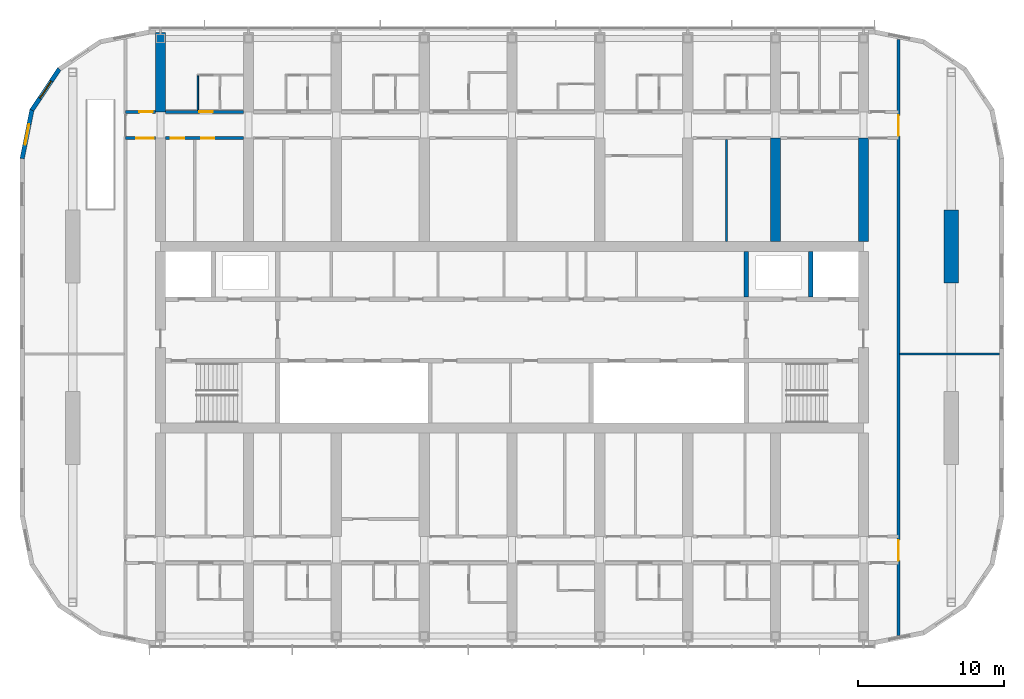
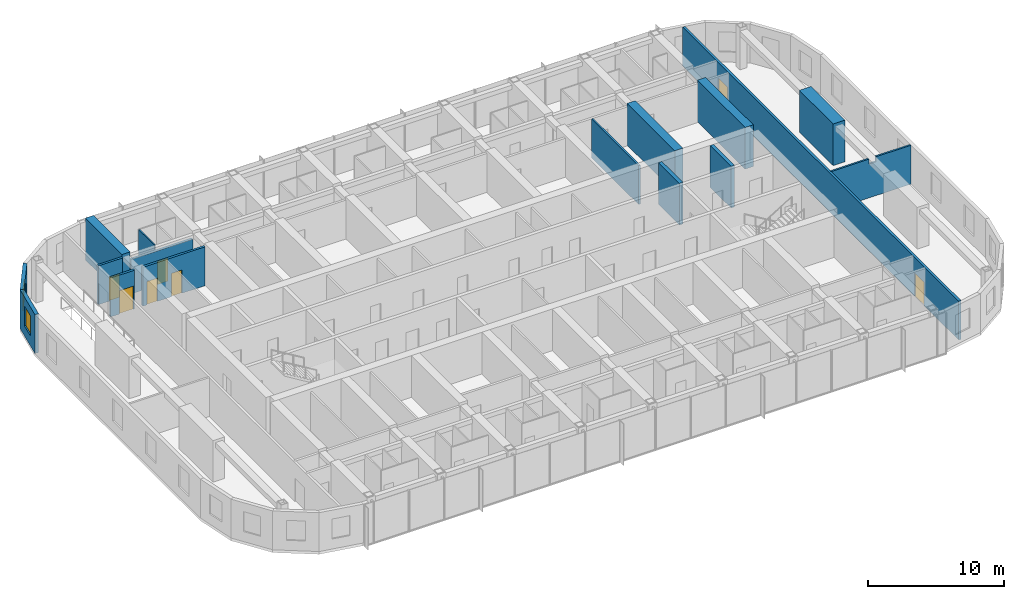
# One storey, part 15 of 23: 16 walls, 7 doors, 2 windows, 9 openings.
"""IFC4 building model written with IfcOpenShell, lengths in metres."""

from ifc_helpers import new_model, si_unit, direction, frame, frame_2d, origin, place, context, subcontext, project, spatial, polyline, rectangle, outline, extrude, material, layer, layer_set, type_object, element, fill, save


model = new_model("IFC4")

# Units and contexts
model_context = context("Model", 3, precision=1e-05, world=origin(), true_north=direction((0.0, 1.0)))
body_context = subcontext(model_context, "Body", "Model", "MODEL_VIEW")
ifc_project = project(units=[si_unit("LENGTHUNIT", "METRE"), si_unit("AREAUNIT", "SQUARE_METRE"), si_unit("VOLUMEUNIT", "CUBIC_METRE"), si_unit("PLANEANGLEUNIT", "RADIAN"), si_unit("MASSUNIT", "GRAM", prefix="KILO")], contexts=[model_context])

# Site, building, storey
site_placement = place(None, origin())
site = spatial("IfcSite", under=ifc_project, at=site_placement, CompositionType="ELEMENT")
building_placement = place(site_placement, origin())
building = spatial("IfcBuilding", under=site, at=building_placement, Name="Orbita Commons", CompositionType="ELEMENT")
storey_placement = place(building_placement, frame((0.0, 0.0, 250.300048828125)))
storey = spatial("IfcBuildingStorey", under=building, at=storey_placement, Name="L62", CompositionType="ELEMENT", Elevation=250.300048828125)

# Walls
ifc_material_1 = material(Name="Concrete C50/60", Category="concrete")
ifc_layer_1 = layer(ifc_material_1, 0.300048828125)
ifc_layer_set_1 = layer_set([ifc_layer_1], Name="Concrete C50/60")
wall_type_1 = type_object("IfcWallType", Name="Core inner wall 300 C50/60", PredefinedType="SHEAR", material=ifc_layer_set_1)
for number, where, z_axis, x_axis, name in (
    (1, (62.39990234375, 34.75, 0.0), (0.0, 0.0, 1.0), (0.0, 1.0, 0.0), "Firefighting lift FL2 shaft wall L62"),
    (2, (58.0, 34.75, 0.0), (0.0, 0.0, 1.0), (0.0, 1.0, 0.0), "Riser wall east L62"),
):
    element("IfcWall", number, at=place(storey_placement, frame(where, z_axis=z_axis, x_axis=x_axis)), inside=storey, type_object=wall_type_1, Name=name, PredefinedType="SHEAR", context=body_context, shape_type="SweptSolid", body=[
        extrude(rectangle(XDim=3.10009765625, YDim=0.300048828125, at=frame_2d((1.550048828125, 0.0))), origin(), (0.0, 0.0, 1.0), 3.75),
    ])

# Wall, opening, door
ifc_material_2 = material(Name="Concrete blockwork", Category="masonry")
ifc_layer_2 = layer(ifc_material_2, 0.199951171875)
ifc_layer_set_2 = layer_set([ifc_layer_2], Name="Concrete blockwork")
wall_type_2 = type_object("IfcWallType", Name="Corridor wall 200 blockwork", PredefinedType="SOLIDWALL", material=ifc_layer_set_2)
wall_1_placement = place(storey_placement, frame((15.60009765625, 47.39990234375, 0.0), z_axis=(0.0, 0.0, 1.0), x_axis=(1.0, 0.0, 0.0)))
wall_1 = element("IfcWall", 3, at=wall_1_placement, inside=storey, type_object=wall_type_2, Name="Corridor wall 200 blockwork L62", PredefinedType="SOLIDWALL", context=body_context, shape_type="SweptSolid", body=[
    extrude(rectangle(XDim=2.0498046875, YDim=0.199951171875, at=frame_2d((1.02490234375, 0.0))), origin(), (0.0, 0.0, 1.0), 3.5),
])
opening_1_placement = place(wall_1_placement, frame((0.949951171875, 0.0, 0.0)))
opening_1 = element("IfcOpeningElement", 4, at=opening_1_placement, cuts=wall_1, Name="Opening D05", PredefinedType="OPENING", context=body_context, shape_type="SweptSolid", body=[
    extrude(rectangle(XDim=0.89990234375, YDim=2.10009765625, at=frame_2d((0.449951171875, 1.050048828125))), frame((0.0, 0.10986328125, 0.0), z_axis=(0.0, -1.0, 0.0), x_axis=(1.0, 0.0, 0.0)), (0.0, 0.0, 1.0), 0.219970703125),
])
ifc_material_3 = material(Name="Steel-faced fire door leaf", Category="steel")
door_type_1 = type_object("IfcDoorType", Name="Service door 20 min 900x2100", OperationType="SINGLE_SWING_LEFT", PredefinedType="DOOR", material=ifc_material_3)
door_1_placement = place(opening_1_placement, origin())
door_1 = element("IfcDoor", 5, at=door_1_placement, inside=storey, type_object=door_type_1, Name="Linen store L62-KWN door", OperationType="SINGLE_SWING_LEFT", OverallHeight=2.10009765625, OverallWidth=0.89990234375, PredefinedType="DOOR", context=body_context, shape_type="SweptSolid", body=[
    extrude(rectangle(XDim=0.89990234375, YDim=2.10009765625, at=frame_2d((0.449951171875, 1.050048828125))), frame((0.0, 0.02490234375, 0.0), z_axis=(0.0, -1.0, 0.0), x_axis=(1.0, 0.0, 0.0)), (0.0, 0.0, 1.0), 0.050048828125),
])
fill(opening_1, door_1)

wall_2_placement = place(storey_placement, frame((18.35009765625, 47.39990234375, 0.0), z_axis=(0.0, 0.0, 1.0), x_axis=(1.0, 0.0, 0.0)))
wall_2 = element("IfcWall", 6, at=wall_2_placement, inside=storey, type_object=wall_type_2, Name="Corridor wall 200 blockwork L62", PredefinedType="SOLIDWALL", context=body_context, shape_type="SweptSolid", body=[
    extrude(outline(polyline([(0.0, 0.0), (5.2998046875, 0.0), (5.300048828125, 3.099853515625), (0.0, 3.099853515625), (0.0, 0.0)])), frame((0.0, 0.10009765625, 0.0), z_axis=(0.0, -1.0, 0.0), x_axis=(1.0, 0.0, 0.0)), (0.0, 0.0, 1.0), 0.199951171875),
])
opening_2_placement = place(wall_2_placement, frame((2.300048828125, 0.0, 0.0)))
opening_2 = element("IfcOpeningElement", 7, at=opening_2_placement, cuts=wall_2, Name="Opening D11", PredefinedType="OPENING", context=body_context, shape_type="SweptSolid", body=[
    extrude(rectangle(XDim=0.89990234375, YDim=2.10009765625, at=frame_2d((0.449951171875, 1.050048828125))), frame((0.0, 0.10986328125, 0.0), z_axis=(0.0, -1.0, 0.0), x_axis=(1.0, 0.0, 0.0)), (0.0, 0.0, 1.0), 0.219970703125),
])
ifc_material_4 = material(Name="Steel-faced fire door leaf", Category="steel")
door_type_2 = type_object("IfcDoorType", Name="Corridor door 20 min 900x2100", OperationType="SINGLE_SWING_LEFT", PredefinedType="DOOR", material=ifc_material_4)
door_2_placement = place(opening_2_placement, origin())
door_2 = element("IfcDoor", 8, at=door_2_placement, inside=storey, type_object=door_type_2, Name="Studio flat L62-N00 entrance door", OperationType="SINGLE_SWING_LEFT", OverallHeight=2.10009765625, OverallWidth=0.89990234375, PredefinedType="DOOR", context=body_context, shape_type="SweptSolid", body=[
    extrude(rectangle(XDim=0.89990234375, YDim=2.10009765625, at=frame_2d((0.449951171875, 1.050048828125))), frame((0.0, 0.02490234375, 0.0), z_axis=(0.0, -1.0, 0.0), x_axis=(1.0, 0.0, 0.0)), (0.0, 0.0, 1.0), 0.050048828125),
])
fill(opening_2, door_2)

# Wall, openings, doors
wall_3_placement = place(storey_placement, frame((68.39990234375, 11.646240234375, 0.0), z_axis=(0.0, 0.0, 1.0), x_axis=(0.0, 1.0, 0.0)))
wall_3 = element("IfcWall", 9, at=wall_3_placement, inside=storey, type_object=wall_type_2, Name="Corridor wall 200 blockwork L62", PredefinedType="SOLIDWALL", context=body_context, shape_type="SweptSolid", body=[
    extrude(rectangle(XDim=40.70751953125, YDim=0.199951171875, at=frame_2d((20.353759765625, 0.0))), origin(), (0.0, 0.0, 1.0), 3.5),
])
opening_3_placement = place(wall_3_placement, frame((5.103759765625, 0.0, 0.0)))
opening_3 = element("IfcOpeningElement", 10, at=opening_3_placement, cuts=wall_3, Name="Opening D08", PredefinedType="OPENING", context=body_context, shape_type="SweptSolid", body=[
    extrude(rectangle(XDim=1.39990234375, YDim=2.10009765625, at=frame_2d((0.699951171875, 1.050048828125))), frame((0.0, 0.10986328125, 0.0), z_axis=(0.0, -1.0, 0.0), x_axis=(1.0, 0.0, 0.0)), (0.0, 0.0, 1.0), 0.219970703125),
])
opening_4_placement = place(wall_3_placement, frame((34.103759765625, 0.0, 0.0)))
opening_4 = element("IfcOpeningElement", 11, at=opening_4_placement, cuts=wall_3, Name="Opening D08", PredefinedType="OPENING", context=body_context, shape_type="SweptSolid", body=[
    extrude(rectangle(XDim=1.39990234375, YDim=2.10009765625, at=frame_2d((0.699951171875, 1.050048828125))), frame((0.0, 0.10986328125, 0.0), z_axis=(0.0, -1.0, 0.0), x_axis=(1.0, 0.0, 0.0)), (0.0, 0.0, 1.0), 0.219970703125),
])
ifc_material_5 = material(Name="Steel-faced fire door leaf", Category="steel")
door_type_3 = type_object("IfcDoorType", Name="Double corridor door 20 min 1400x2100", OperationType="DOUBLE_DOOR_SINGLE_SWING", PredefinedType="DOOR", material=ifc_material_5)
door_3_placement = place(opening_3_placement, origin())
door_3 = element("IfcDoor", 12, at=door_3_placement, inside=storey, type_object=door_type_3, Name="Lounge doors", OperationType="DOUBLE_DOOR_SINGLE_SWING", OverallHeight=2.10009765625, OverallWidth=1.39990234375, PredefinedType="DOOR", context=body_context, shape_type="SweptSolid", body=[
    extrude(rectangle(XDim=1.39990234375, YDim=2.10009765625, at=frame_2d((0.699951171875, 1.050048828125))), frame((0.0, 0.02490234375, 0.0), z_axis=(0.0, -1.0, 0.0), x_axis=(1.0, 0.0, 0.0)), (0.0, 0.0, 1.0), 0.050048828125),
])
fill(opening_3, door_3)
door_4_placement = place(opening_4_placement, origin())
door_4 = element("IfcDoor", 13, at=door_4_placement, inside=storey, type_object=door_type_3, Name="Lounge doors", OperationType="DOUBLE_DOOR_SINGLE_SWING", OverallHeight=2.10009765625, OverallWidth=1.39990234375, PredefinedType="DOOR", context=body_context, shape_type="SweptSolid", body=[
    extrude(rectangle(XDim=1.39990234375, YDim=2.10009765625, at=frame_2d((0.699951171875, 1.050048828125))), frame((0.0, 0.02490234375, 0.0), z_axis=(0.0, -1.0, 0.0), x_axis=(1.0, 0.0, 0.0)), (0.0, 0.0, 1.0), 0.050048828125),
])
fill(opening_4, door_4)

# Wall, opening, door
ifc_material_6 = material(Name="Hollow concrete block 200", Category="concrete")
ifc_layer_3 = layer(ifc_material_6, 0.199951171875)
ifc_layer_set_3 = layer_set([ifc_layer_3], Name="Hollow concrete block 200")
wall_type_3 = type_object("IfcWallType", Name="Corridor wall 200 hollow concrete block", PredefinedType="SOLIDWALL", material=ifc_layer_set_3)
wall_4_placement = place(storey_placement, frame((15.60009765625, 45.60009765625, 0.0), z_axis=(0.0, 0.0, 1.0), x_axis=(1.0, 0.0, 0.0)))
wall_4 = element("IfcWall", 14, at=wall_4_placement, inside=storey, type_object=wall_type_3, Name="Corridor wall 200 hollow concrete block L62", PredefinedType="SOLIDWALL", context=body_context, shape_type="SweptSolid", body=[
    extrude(rectangle(XDim=2.0498046875, YDim=0.199951171875, at=frame_2d((1.02490234375, 0.0))), origin(), (0.0, 0.0, 1.0), 3.5),
])
opening_5_placement = place(wall_4_placement, frame((0.75, 0.0, 0.0)))
opening_5 = element("IfcOpeningElement", 15, at=opening_5_placement, cuts=wall_4, Name="Opening D12", PredefinedType="OPENING", context=body_context, shape_type="SweptSolid", body=[
    extrude(rectangle(XDim=1.199951171875, YDim=2.10009765625, at=frame_2d((0.60009765625, 1.050048828125))), frame((0.0, 0.10986328125, 0.0), z_axis=(0.0, -1.0, 0.0), x_axis=(1.0, 0.0, 0.0)), (0.0, 0.0, 1.0), 0.219970703125),
])
ifc_material_7 = material(Name="Steel-faced fire door leaf", Category="steel")
door_type_4 = type_object("IfcDoorType", Name="Double corridor door 20 min 1200x2100", OperationType="DOUBLE_DOOR_SINGLE_SWING", PredefinedType="DOOR", material=ifc_material_7)
door_5_placement = place(opening_5_placement, origin())
door_5 = element("IfcDoor", 16, at=door_5_placement, inside=storey, type_object=door_type_4, Name="Cross corridor doors", OperationType="DOUBLE_DOOR_SINGLE_SWING", OverallHeight=2.10009765625, OverallWidth=1.199951171875, PredefinedType="DOOR", context=body_context, shape_type="SweptSolid", body=[
    extrude(rectangle(XDim=1.199951171875, YDim=2.10009765625, at=frame_2d((0.60009765625, 1.050048828125))), frame((0.0, 0.02490234375, 0.0), z_axis=(0.0, -1.0, 0.0), x_axis=(1.0, 0.0, 0.0)), (0.0, 0.0, 1.0), 0.050048828125),
])
fill(opening_5, door_5)

# Wall, openings, doors
wall_5_placement = place(storey_placement, frame((18.35009765625, 45.60009765625, 0.0), z_axis=(0.0, 0.0, 1.0), x_axis=(1.0, 0.0, 0.0)))
wall_5 = element("IfcWall", 17, at=wall_5_placement, inside=storey, type_object=wall_type_3, Name="Corridor wall 200 hollow concrete block L62", PredefinedType="SOLIDWALL", context=body_context, shape_type="SweptSolid", body=[
    extrude(rectangle(XDim=5.2998046875, YDim=0.199951171875, at=frame_2d((2.64990234375, 0.0))), origin(), (0.0, 0.0, 1.0), 3.5),
])
opening_6_placement = place(wall_5_placement, frame((0.35009765625, 0.0, 0.0)))
opening_6 = element("IfcOpeningElement", 18, at=opening_6_placement, cuts=wall_5, Name="Opening D11", PredefinedType="OPENING", context=body_context, shape_type="SweptSolid", body=[
    extrude(rectangle(XDim=0.89990234375, YDim=2.10009765625, at=frame_2d((0.449951171875, 1.050048828125))), frame((0.0, 0.10986328125, 0.0), z_axis=(0.0, -1.0, 0.0), x_axis=(1.0, 0.0, 0.0)), (0.0, 0.0, 1.0), 0.219970703125),
])
opening_7_placement = place(wall_5_placement, frame((2.4150390625, 0.0, 0.0)))
opening_7 = element("IfcOpeningElement", 19, at=opening_7_placement, cuts=wall_5, Name="Opening D11", PredefinedType="OPENING", context=body_context, shape_type="SweptSolid", body=[
    extrude(rectangle(XDim=0.89990234375, YDim=2.10009765625, at=frame_2d((0.449951171875, 1.050048828125))), frame((0.0, 0.10986328125, 0.0), z_axis=(0.0, -1.0, 0.0), x_axis=(1.0, 0.0, 0.0)), (0.0, 0.0, 1.0), 0.219970703125),
])
door_6_placement = place(opening_6_placement, origin())
door_6 = element("IfcDoor", 20, at=door_6_placement, inside=storey, type_object=door_type_2, Name="Luggage store L62-BDN18n door", OperationType="SINGLE_SWING_LEFT", OverallHeight=2.10009765625, OverallWidth=0.89990234375, PredefinedType="DOOR", context=body_context, shape_type="SweptSolid", body=[
    extrude(rectangle(XDim=0.89990234375, YDim=2.10009765625, at=frame_2d((0.449951171875, 1.050048828125))), frame((0.0, 0.02490234375, 0.0), z_axis=(0.0, -1.0, 0.0), x_axis=(1.0, 0.0, 0.0)), (0.0, 0.0, 1.0), 0.050048828125),
])
fill(opening_6, door_6)
door_7_placement = place(opening_7_placement, origin())
door_7 = element("IfcDoor", 21, at=door_7_placement, inside=storey, type_object=door_type_2, Name="Storage lockers L62-BDN18 door", OperationType="SINGLE_SWING_LEFT", OverallHeight=2.10009765625, OverallWidth=0.89990234375, PredefinedType="DOOR", context=body_context, shape_type="SweptSolid", body=[
    extrude(rectangle(XDim=0.89990234375, YDim=2.10009765625, at=frame_2d((0.449951171875, 1.050048828125))), frame((0.0, 0.02490234375, 0.0), z_axis=(0.0, -1.0, 0.0), x_axis=(1.0, 0.0, 0.0)), (0.0, 0.0, 1.0), 0.050048828125),
])
fill(opening_7, door_7)

# Walls
ifc_material_8 = material(Name="Concrete C50/60", Category="concrete")
ifc_layer_4 = layer(ifc_material_8, 0.699951171875)
ifc_layer_set_4 = layer_set([ifc_layer_4], Name="Concrete C50/60")
wall_type_4 = type_object("IfcWallType", Name="Cross wall 700 C50/60", PredefinedType="SHEAR", material=ifc_layer_set_4)
wall_6_placement = place(storey_placement, frame((18.0, 47.39990234375, 0.0), z_axis=(0.0, 0.0, 1.0), x_axis=(0.0, 1.0, 0.0)))
element("IfcWall", 22, at=wall_6_placement, inside=storey, type_object=wall_type_4, Name="Cross wall 4 north outer L62", PredefinedType="SHEAR", context=body_context, shape_type="SweptSolid", body=[
    extrude(rectangle(XDim=5.400146484375, YDim=0.699951171875, at=frame_2d((2.7001953125, 0.0))), origin(), (0.0, 0.0, 1.0), 3.75),
])
for number, where, z_axis, x_axis, name in (
    (23, (60.0, 38.550048828125, 0.0), (0.0, 0.0, 1.0), (0.0, 1.0, 0.0), "Cross wall 11 north inner L62"),
    (24, (66.0, 38.550048828125, 0.0), (0.0, 0.0, 1.0), (0.0, 1.0, 0.0), "Cross wall 12 north inner L62"),
):
    element("IfcWall", number, at=place(storey_placement, frame(where, z_axis=z_axis, x_axis=x_axis)), inside=storey, type_object=wall_type_4, Name=name, PredefinedType="SHEAR", context=body_context, shape_type="SweptSolid", body=[
        extrude(rectangle(XDim=7.050048828125, YDim=0.699951171875, at=frame_2d((3.52490234375, 0.0))), origin(), (0.0, 0.0, 1.0), 3.75),
    ])
ifc_material_9 = material(Name="Moisture-resistant plasterboard on steel studs", Category="steel")
ifc_layer_5 = layer(ifc_material_9, 0.10009765625)
ifc_layer_set_5 = layer_set([ifc_layer_5], Name="Moisture-resistant plasterboard on steel studs")
wall_type_5 = type_object("IfcWallType", Name="En-suite partition 100", PredefinedType="PARTITIONING", material=ifc_layer_set_5)
wall_7_placement = place(storey_placement, frame((20.550048828125, 49.85009765625, 0.0), z_axis=(0.0, 0.0, 1.0), x_axis=(0.0, -1.0, 0.0)))
element("IfcWall", 25, at=wall_7_placement, inside=storey, type_object=wall_type_5, Name="En-suite partition 100 L62", PredefinedType="PARTITIONING", context=body_context, shape_type="SweptSolid", body=[
    extrude(outline(polyline([(0.0, 0.0), (2.35009765625, 0.0), (2.35009765625, 3.099853515625), (2.302001953125, 3.099853515625), (2.300048828125, 3.5), (0.0, 3.5), (0.0, 0.0)])), frame((0.0, 0.050048828125, 0.0), z_axis=(0.0, -1.0, 0.0), x_axis=(1.0, 0.0, 0.0)), (0.0, 0.0, 1.0), 0.10009765625),
])
ifc_material_10 = material(Name="Concrete C50/60", Category="concrete")
ifc_layer_6 = layer(ifc_material_10, 1.0)
ifc_layer_set_6 = layer_set([ifc_layer_6], Name="Concrete C50/60")
wall_type_6 = type_object("IfcWallType", Name="End pier 1000x5000 C50/60", PredefinedType="SHEAR", material=ifc_layer_set_6)
wall_8_placement = place(storey_placement, frame((72.0, 35.699951171875, 0.0), z_axis=(0.0, 0.0, 1.0), x_axis=(0.0, 1.0, 0.0)))
element("IfcWall", 26, at=wall_8_placement, inside=storey, type_object=wall_type_6, Name="End pier 13/D L62", PredefinedType="SHEAR", context=body_context, shape_type="SweptSolid", body=[
    extrude(rectangle(XDim=5.0, YDim=1.0, at=frame_2d((2.5, 0.0))), origin(), (0.0, 0.0, 1.0), 3.75),
])
ifc_material_11 = material(Name="Gypsum plasterboard on steel studs", Category="steel")
ifc_layer_7 = layer(ifc_material_11, 0.14990234375)
ifc_layer_set_7 = layer_set([ifc_layer_7], Name="Gypsum plasterboard on steel studs")
wall_type_7 = type_object("IfcWallType", Name="Partition 150 plasterboard", PredefinedType="PARTITIONING", material=ifc_layer_set_7)
wall_9_placement = place(storey_placement, frame((56.639892578125, 38.550048828125, 0.0), z_axis=(0.0, 0.0, 1.0), x_axis=(0.0, 1.0, 0.0)))
element("IfcWall", 27, at=wall_9_placement, inside=storey, type_object=wall_type_7, Name="Partition 150 plasterboard L62", PredefinedType="PARTITIONING", context=body_context, shape_type="SweptSolid", body=[
    extrude(rectangle(XDim=6.949951171875, YDim=0.14990234375, at=frame_2d((3.47509765625, 0.0))), origin(), (0.0, 0.0, 1.0), 3.5),
])
wall_10_placement = place(storey_placement, frame((68.47509765625, 30.85009765625, 0.0), z_axis=(0.0, 0.0, 1.0), x_axis=(1.0, 0.0, 0.0)))
element("IfcWall", 28, at=wall_10_placement, inside=storey, type_object=wall_type_7, Name="Partition 150 plasterboard L62", PredefinedType="PARTITIONING", context=body_context, shape_type="SweptSolid", body=[
    extrude(outline(polyline([(0.0, 0.0), (6.81982421875, 0.0), (6.820068359375, 3.5), (3.826904296875, 3.5), (3.824951171875, 3.050048828125), (3.22705078125, 3.050048828125), (3.22509765625, 3.5), (0.0, 3.5), (0.0, 0.0)])), frame((0.0, 0.074951171875, 0.0), z_axis=(0.0, -1.0, 0.0), x_axis=(1.0, 0.0, 0.0)), (0.0, 0.0, 1.0), 0.14990234375),
])

# Wall, opening, window
ifc_material_12 = material(Name="Precast concrete C40/50, white board-marked finish", Category="concrete")
ifc_layer_8 = layer(ifc_material_12, 0.300048828125)
ifc_layer_set_8 = layer_set([ifc_layer_8], Name="Precast concrete C40/50, white board-marked finish")
wall_type_8 = type_object("IfcWallType", Name="Precast concrete end shield 300", PredefinedType="SOLIDWALL", material=ifc_layer_set_8)
wall_11_placement = place(storey_placement, frame((11.08349609375, 50.31640625, 0.0), z_axis=(0.0, 0.0, 1.0), x_axis=(-0.555567969291, -0.831471124873, 0.0)))
wall_11 = element("IfcWall", 29, at=wall_11_placement, inside=storey, type_object=wall_type_8, Name="End shield NW chord 3 L62", PredefinedType="SOLIDWALL", context=body_context, shape_type="SweptSolid", body=[
    extrude(outline(polyline([(-0.02978515625, -0.14990234375), (3.40478515625, -0.14990234375), (3.34521484375, 0.14990234375), (0.02978515625, 0.14990234375), (-0.02978515625, -0.14990234375)])), origin(), (0.0, 0.0, 1.0), 3.5),
])
opening_8_placement = place(wall_11_placement, frame((0.987548828125, 0.0, 0.89990234375)))
opening_8 = element("IfcOpeningElement", 30, at=opening_8_placement, cuts=wall_11, Name="Opening W02", PredefinedType="OPENING", context=body_context, shape_type="SweptSolid", body=[
    extrude(rectangle(XDim=1.39990234375, YDim=1.800048828125, at=frame_2d((0.699951171875, 0.89990234375))), frame((0.0, 0.159912109375, 0.0), z_axis=(0.0, -1.0, 0.0), x_axis=(1.0, 0.0, 0.0)), (0.0, 0.0, 1.0), 0.320068359375),
])
ifc_material_13 = material(Name="Aluminium frame, clear double glazing", Category="aluminium")
window_type = type_object("IfcWindowType", Name="Deep-set window 1400x1800", PartitioningType="SINGLE_PANEL", PredefinedType="WINDOW", material=ifc_material_13)
window_1_placement = place(opening_8_placement, origin())
window_1 = element("IfcWindow", 31, at=window_1_placement, inside=storey, type_object=window_type, Name="Window L62-NW2", OverallHeight=1.800048828125, OverallWidth=1.39990234375, PartitioningType="SINGLE_PANEL", PredefinedType="WINDOW", context=body_context, shape_type="SweptSolid", body=[
    extrude(rectangle(XDim=1.39990234375, YDim=1.800048828125, at=frame_2d((0.699951171875, 0.89990234375))), frame((0.0, 0.030029296875, 0.0), z_axis=(0.0, -1.0, 0.0), x_axis=(1.0, 0.0, 0.0)), (0.0, 0.0, 1.0), 0.06005859375),
])
fill(opening_8, window_1)

wall_12_placement = place(storey_placement, frame((9.20849609375, 47.51025390625, 0.0), z_axis=(0.0, 0.0, 1.0), x_axis=(-0.19508664885, -0.980786011034, 0.0)))
wall_12 = element("IfcWall", 32, at=wall_12_placement, inside=storey, type_object=wall_type_8, Name="End shield NW chord 4 L62", PredefinedType="SOLIDWALL", context=body_context, shape_type="SweptSolid", body=[
    extrude(outline(polyline([(-0.02978515625, -0.14990234375), (3.39013671875, -0.14990234375), (3.3603515625, 0.14990234375), (0.02978515625, 0.14990234375), (-0.02978515625, -0.14990234375)])), origin(), (0.0, 0.0, 1.0), 3.5),
])
opening_9_placement = place(wall_12_placement, frame((0.987548828125, 0.0, 0.89990234375)))
opening_9 = element("IfcOpeningElement", 33, at=opening_9_placement, cuts=wall_12, Name="Opening W02", PredefinedType="OPENING", context=body_context, shape_type="SweptSolid", body=[
    extrude(rectangle(XDim=1.39990234375, YDim=1.800048828125, at=frame_2d((0.699951171875, 0.89990234375))), frame((0.0, 0.159912109375, 0.0), z_axis=(0.0, -1.0, 0.0), x_axis=(1.0, 0.0, 0.0)), (0.0, 0.0, 1.0), 0.320068359375),
])
window_2_placement = place(opening_9_placement, origin())
window_2 = element("IfcWindow", 34, at=window_2_placement, inside=storey, type_object=window_type, Name="Window L62-NW3", OverallHeight=1.800048828125, OverallWidth=1.39990234375, PartitioningType="SINGLE_PANEL", PredefinedType="WINDOW", context=body_context, shape_type="SweptSolid", body=[
    extrude(rectangle(XDim=1.39990234375, YDim=1.800048828125, at=frame_2d((0.699951171875, 0.89990234375))), frame((0.0, 0.030029296875, 0.0), z_axis=(0.0, -1.0, 0.0), x_axis=(1.0, 0.0, 0.0)), (0.0, 0.0, 1.0), 0.06005859375),
])
fill(opening_9, window_2)

save(model, "model.ifc")
